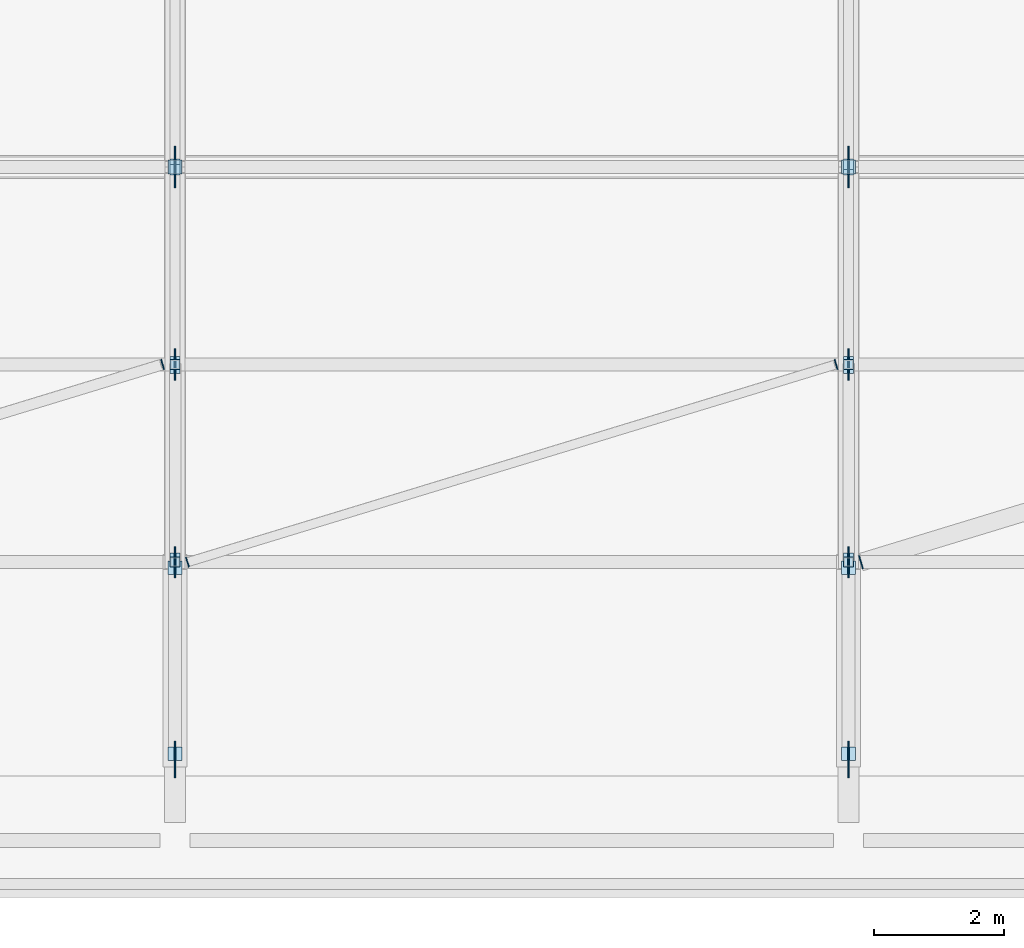
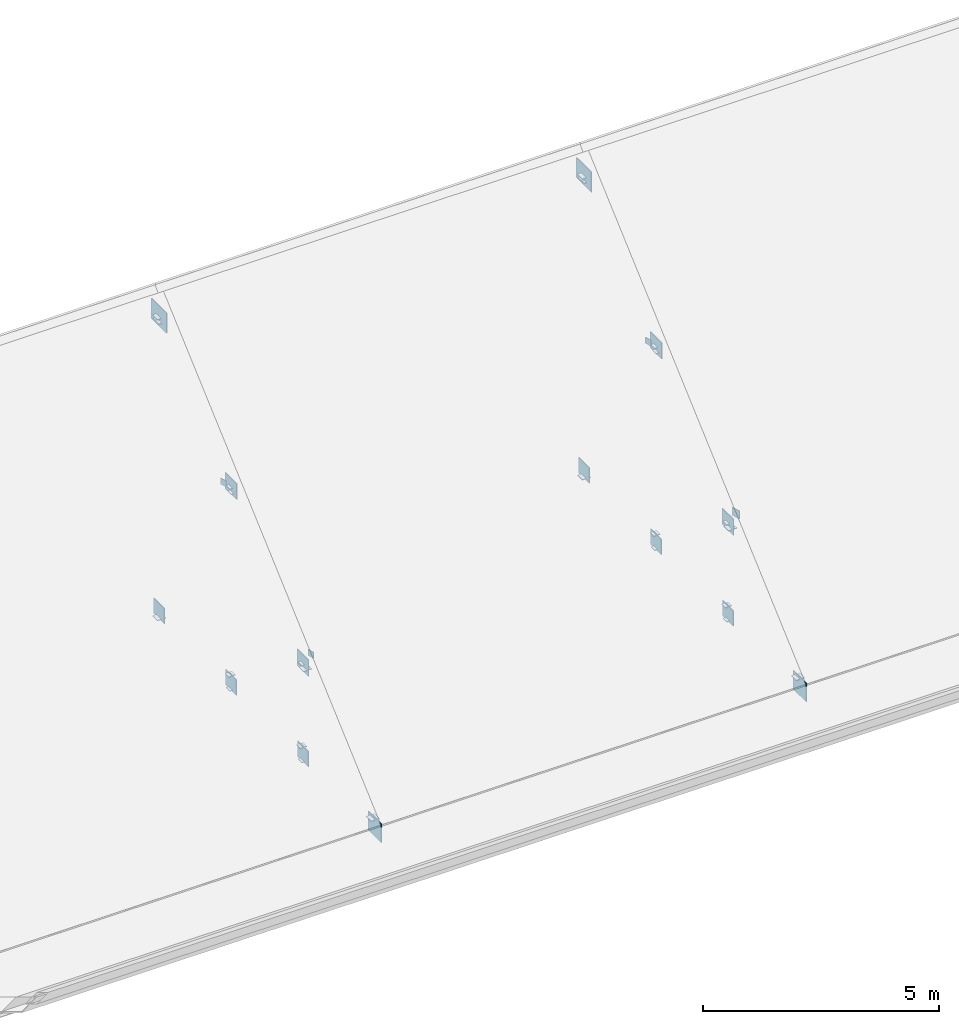
# One storey, part 48 of 86: 44 plates.
"""IFC4 building model written with IfcOpenShell, lengths in metres."""

from ifc_helpers import new_model, si_unit, derived_unit, direction, frame, origin, origin_2d, place, context, subcontext, project, spatial, rectangle, extrude, material, layer, layer_set, type_object, element, save


model = new_model("IFC4")

# Units and contexts
model_context = context("Model", 3, precision=1e-05, world=origin(), true_north=direction((0.0, 1.0)))
body_context = subcontext(model_context, "Body", "Model", "MODEL_VIEW")
ifc_project = project(units=[si_unit("LENGTHUNIT", "METRE"), si_unit("AREAUNIT", "SQUARE_METRE"), si_unit("VOLUMEUNIT", "CUBIC_METRE"), si_unit("PLANEANGLEUNIT", "RADIAN"), si_unit("MASSUNIT", "GRAM", prefix="KILO"), derived_unit("THERMALTRANSMITTANCEUNIT", [(si_unit("POWERUNIT", "WATT"), 1), (si_unit("LENGTHUNIT", "METRE"), -2), (si_unit("THERMODYNAMICTEMPERATUREUNIT", "KELVIN"), -1)])], contexts=[model_context])

# Site, building, storey
site_placement = place(None, origin())
site = spatial("IfcSite", under=ifc_project, at=site_placement, CompositionType="ELEMENT")
building_placement = place(site_placement, origin())
building = spatial("IfcBuilding", under=site, at=building_placement, Name="Braskholm Square Health Centre", CompositionType="ELEMENT")
storey_placement = place(building_placement, frame((0.0, 0.0, 13.5)))
storey = spatial("IfcBuildingStorey", under=building, at=storey_placement, Name="L04", CompositionType="ELEMENT", Elevation=13.5)

# Plates
ifc_material = material(Name="Steel ASTM A572 Grade 50", Category="steel")
ifc_layer_1 = layer(ifc_material, 0.01611328125)
ifc_layer_set_1 = layer_set([ifc_layer_1], Name="Steel ASTM A572 Grade 50")
plate_type_1 = type_object("IfcPlateType", Name="CapPlateHSS152TN8", PredefinedType="USERDEFINED", material=ifc_layer_set_1)
for number, where, z_axis, x_axis, name in (
    (1, (68.39990234375, 91.5, -0.2861328125), (0.0, 0.0, 1.0), (1.0, 0.0, 0.0), "Hollow section end cap plate 0069"),
    (2, (68.39990234375, 91.5, 2.221923828125), (0.0, 0.0, 1.0), (1.0, 0.0, 0.0), "Hollow section end cap plate 0070"),
    (3, (68.39990234375, 94.550048828125, -0.2861328125), (0.0, 0.0, 1.0), (1.0, 0.0, 0.0), "Hollow section end cap plate 0071"),
    (4, (68.39990234375, 94.550048828125, 4.941162109375), (0.0, 0.0, 1.0), (1.0, 0.0, 0.0), "Hollow section end cap plate 0072"),
    (5, (68.39990234375, 91.55908203125, 0.046875), (0.0, 0.0, 1.0), (1.0, 0.0, 0.0), "Hollow section end cap plate 0081"),
    (6, (68.39990234375, 94.490966796875, 4.837890625), (0.0, 0.0, 1.0), (1.0, 0.0, 0.0), "Hollow section end cap plate 0082"),
    (7, (68.39990234375, 94.592041015625, 0.055908203125), (0.0, 0.0, 1.0), (1.0, 0.0, 0.0), "Hollow section end cap plate 0083"),
    (8, (68.39990234375, 97.55810546875, 7.387939453125), (0.0, 0.0, 1.0), (1.0, 0.0, 0.0), "Hollow section end cap plate 0084"),
    (9, (68.39990234375, 97.64208984375, 7.387939453125), (0.0, 0.0, 1.0), (1.0, 0.0, 0.0), "Hollow section end cap plate 0086"),
    (10, (78.800048828125, 91.5, -0.2861328125), (0.0, 0.0, 1.0), (1.0, 0.0, 0.0), "Hollow section end cap plate 0103"),
    (11, (78.800048828125, 91.5, 2.221923828125), (0.0, 0.0, 1.0), (1.0, 0.0, 0.0), "Hollow section end cap plate 0104"),
    (12, (78.800048828125, 94.550048828125, -0.2861328125), (0.0, 0.0, 1.0), (1.0, 0.0, 0.0), "Hollow section end cap plate 0105"),
    (13, (78.800048828125, 94.550048828125, 4.941162109375), (0.0, 0.0, 1.0), (1.0, 0.0, 0.0), "Hollow section end cap plate 0106"),
    (14, (78.800048828125, 91.55908203125, 0.046875), (0.0, 0.0, 1.0), (1.0, 0.0, 0.0), "Hollow section end cap plate 0115"),
    (15, (78.800048828125, 94.490966796875, 4.837890625), (0.0, 0.0, 1.0), (1.0, 0.0, 0.0), "Hollow section end cap plate 0116"),
    (16, (78.800048828125, 94.592041015625, 0.055908203125), (0.0, 0.0, 1.0), (1.0, 0.0, 0.0), "Hollow section end cap plate 0117"),
    (17, (78.800048828125, 97.55810546875, 7.387939453125), (0.0, 0.0, 1.0), (1.0, 0.0, 0.0), "Hollow section end cap plate 0118"),
    (18, (78.800048828125, 97.64208984375, 7.387939453125), (0.0, 0.0, 1.0), (1.0, 0.0, 0.0), "Hollow section end cap plate 0120"),
):
    element("IfcPlate", number, at=place(storey_placement, frame(where, z_axis=z_axis, x_axis=x_axis)), inside=storey, type_object=plate_type_1, Name=name, ObjectType="CAP_PLATE", PredefinedType="USERDEFINED", context=body_context, shape_type="SweptSolid", body=[
        extrude(rectangle(XDim=0.159912109375, YDim=0.159912109375, at=origin_2d()), origin(), (0.0, 0.0, 1.0), 0.01611328125),
    ])
for number, where, z_axis, x_axis, name in (
    (19, (68.2080078125, 94.552001953125, 5.041015625), (0.0, 0.0, 1.0), (0.956498453883, 0.291737395134, 0.0), "Hollow section end cap plate 0282"),
    (20, (68.592041015625, 91.498046875, 2.322265625), (0.0, 0.0, 1.0), (0.956498453883, 0.291737395134, 0.0), "Hollow section end cap plate 0289"),
    (21, (78.60791015625, 94.552001953125, 5.041015625), (0.0, 0.0, 1.0), (0.956498453883, 0.291737395134, 0.0), "Hollow section end cap plate 0290"),
):
    element("IfcPlate", number, at=place(storey_placement, frame(where, z_axis=z_axis, x_axis=x_axis)), inside=storey, type_object=plate_type_1, Name=name, ObjectType="CAP_PLATE", PredefinedType="USERDEFINED", context=body_context, shape_type="SweptSolid", body=[
        extrude(rectangle(XDim=0.01611328125, YDim=0.159912109375, at=origin_2d()), origin(), (0.0, 0.0, 1.0), 0.159912109375),
    ])
ifc_layer_2 = layer(ifc_material, 0.01611328125)
ifc_layer_set_2 = layer_set([ifc_layer_2], Name="Steel ASTM A572 Grade 50")
plate_type_2 = type_object("IfcPlateType", Name="CapPlateHSS203TN6", PredefinedType="USERDEFINED", material=ifc_layer_set_2)
for number, where, z_axis, x_axis, name in (
    (22, (68.39990234375, 97.60009765625, -0.2861328125), (0.0, 0.0, 1.0), (1.0, 0.0, 0.0), "Hollow section end cap plate 0073"),
    (23, (68.39990234375, 97.60009765625, 7.5), (0.0, 0.0, 1.0), (1.0, 0.0, 0.0), "Hollow section end cap plate 0074"),
    (24, (68.39990234375, 88.5400390625, 0.017822265625), (0.0, 0.0, 1.0), (1.0, 0.0, 0.0), "Hollow section end cap plate 0079"),
    (25, (68.39990234375, 91.409912109375, 2.14794921875), (0.0, 0.0, 1.0), (1.0, 0.0, 0.0), "Hollow section end cap plate 0080"),
    (26, (78.800048828125, 97.60009765625, -0.2861328125), (0.0, 0.0, 1.0), (1.0, 0.0, 0.0), "Hollow section end cap plate 0107"),
    (27, (78.800048828125, 97.60009765625, 7.5), (0.0, 0.0, 1.0), (1.0, 0.0, 0.0), "Hollow section end cap plate 0108"),
    (28, (78.800048828125, 88.5400390625, 0.017822265625), (0.0, 0.0, 1.0), (1.0, 0.0, 0.0), "Hollow section end cap plate 0113"),
    (29, (78.800048828125, 91.409912109375, 2.14794921875), (0.0, 0.0, 1.0), (1.0, 0.0, 0.0), "Hollow section end cap plate 0114"),
):
    element("IfcPlate", number, at=place(storey_placement, frame(where, z_axis=z_axis, x_axis=x_axis)), inside=storey, type_object=plate_type_2, Name=name, ObjectType="CAP_PLATE", PredefinedType="USERDEFINED", context=body_context, shape_type="SweptSolid", body=[
        extrude(rectangle(XDim=0.2099609375, YDim=0.2099609375, at=origin_2d()), origin(), (0.0, 0.0, 1.0), 0.01611328125),
    ])
plate_placement = place(storey_placement, frame((78.991943359375, 91.498046875, 2.297119140625), z_axis=(0.0, 0.0, 1.0), x_axis=(0.956498453883, 0.291737395134, 0.0)))
element("IfcPlate", 30, at=plate_placement, inside=storey, type_object=plate_type_2, Name="Hollow section end cap plate 0297", ObjectType="CAP_PLATE", PredefinedType="USERDEFINED", context=body_context, shape_type="SweptSolid", body=[
    extrude(rectangle(XDim=0.01611328125, YDim=0.2099609375, at=origin_2d()), origin(), (0.0, 0.0, 1.0), 0.2099609375),
])
ifc_layer_3 = layer(ifc_material, 0.02001953125)
ifc_layer_set_3 = layer_set([ifc_layer_3], Name="Steel ASTM A572 Grade 50")
plate_type_3 = type_object("IfcPlateType", Name="NodeGussetBottomPanelTN3", PredefinedType="USERDEFINED", material=ifc_layer_set_3)
for number, where, z_axis, x_axis, name in (
    (31, (68.39990234375, 91.5, -0.320068359375), (0.0, 0.0, 1.0), (1.0, 0.0, 0.0), "Truss node gusset plate 0094"),
    (32, (68.39990234375, 94.550048828125, -0.320068359375), (0.0, 0.0, 1.0), (1.0, 0.0, 0.0), "Truss node gusset plate 0095"),
    (33, (68.39990234375, 97.60009765625, -0.320068359375), (0.0, 0.0, 1.0), (1.0, 0.0, 0.0), "Truss node gusset plate 0096"),
    (34, (78.800048828125, 91.5, -0.320068359375), (0.0, 0.0, 1.0), (1.0, 0.0, 0.0), "Truss node gusset plate 0128"),
    (35, (78.800048828125, 94.550048828125, -0.320068359375), (0.0, 0.0, 1.0), (1.0, 0.0, 0.0), "Truss node gusset plate 0129"),
    (36, (78.800048828125, 97.60009765625, -0.320068359375), (0.0, 0.0, 1.0), (1.0, 0.0, 0.0), "Truss node gusset plate 0130"),
):
    element("IfcPlate", number, at=place(storey_placement, frame(where, z_axis=z_axis, x_axis=x_axis)), inside=storey, type_object=plate_type_3, Name=name, ObjectType="GUSSET_PLATE", PredefinedType="USERDEFINED", context=body_context, shape_type="SweptSolid", body=[
        extrude(rectangle(XDim=0.02001953125, YDim=0.4599609375, at=origin_2d()), origin(), (0.0, 0.0, 1.0), 0.39990234375),
    ])
ifc_layer_4 = layer(ifc_material, 0.02392578125)
ifc_layer_set_4 = layer_set([ifc_layer_4], Name="Steel ASTM A572 Grade 50")
plate_type_4 = type_object("IfcPlateType", Name="NodeGussetHeelTN1", PredefinedType="USERDEFINED", material=ifc_layer_set_4)
for number, where, z_axis, x_axis, name in (
    (37, (68.39990234375, 88.449951171875, -0.39990234375), (0.0, 0.0, 1.0), (1.0, 0.0, 0.0), "Truss node gusset plate 0091"),
    (38, (78.800048828125, 88.449951171875, -0.39990234375), (0.0, 0.0, 1.0), (1.0, 0.0, 0.0), "Truss node gusset plate 0125"),
):
    element("IfcPlate", number, at=place(storey_placement, frame(where, z_axis=z_axis, x_axis=x_axis)), inside=storey, type_object=plate_type_4, Name=name, ObjectType="GUSSET_PLATE", PredefinedType="USERDEFINED", context=body_context, shape_type="SweptSolid", body=[
        extrude(rectangle(XDim=0.02392578125, YDim=0.56005859375, at=origin_2d()), origin(), (0.0, 0.0, 1.0), 0.47998046875),
    ])
ifc_layer_5 = layer(ifc_material, 0.02392578125)
ifc_layer_set_5 = layer_set([ifc_layer_5], Name="Steel ASTM A572 Grade 50")
plate_type_5 = type_object("IfcPlateType", Name="NodeGussetRidgeTN2", PredefinedType="USERDEFINED", material=ifc_layer_set_5)
for number, where, z_axis, x_axis, name in (
    (39, (68.39990234375, 97.60009765625, 7.260009765625), (0.0, 0.0, 1.0), (1.0, 0.0, 0.0), "Truss node gusset plate 0093"),
    (40, (78.800048828125, 97.60009765625, 7.260009765625), (0.0, 0.0, 1.0), (1.0, 0.0, 0.0), "Truss node gusset plate 0127"),
):
    element("IfcPlate", number, at=place(storey_placement, frame(where, z_axis=z_axis, x_axis=x_axis)), inside=storey, type_object=plate_type_5, Name=name, ObjectType="GUSSET_PLATE", PredefinedType="USERDEFINED", context=body_context, shape_type="SweptSolid", body=[
        extrude(rectangle(XDim=0.02392578125, YDim=0.639892578125, at=origin_2d()), origin(), (0.0, 0.0, 1.0), 0.52001953125),
    ])
ifc_layer_6 = layer(ifc_material, 0.02197265625)
ifc_layer_set_6 = layer_set([ifc_layer_6], Name="Steel ASTM A572 Grade 50")
plate_type_6 = type_object("IfcPlateType", Name="NodeGussetTopPanelTN4", PredefinedType="USERDEFINED", material=ifc_layer_set_6)
for number, where, z_axis, x_axis, name in (
    (41, (68.39990234375, 91.5, 2.031982421875), (0.0, 0.0, 1.0), (1.0, 0.0, 0.0), "Truss node gusset plate 0099"),
    (42, (68.39990234375, 94.550048828125, 4.7509765625), (0.0, 0.0, 1.0), (1.0, 0.0, 0.0), "Truss node gusset plate 0100"),
    (43, (78.800048828125, 91.5, 2.031982421875), (0.0, 0.0, 1.0), (1.0, 0.0, 0.0), "Truss node gusset plate 0133"),
    (44, (78.800048828125, 94.550048828125, 4.7509765625), (0.0, 0.0, 1.0), (1.0, 0.0, 0.0), "Truss node gusset plate 0134"),
):
    element("IfcPlate", number, at=place(storey_placement, frame(where, z_axis=z_axis, x_axis=x_axis)), inside=storey, type_object=plate_type_6, Name=name, ObjectType="GUSSET_PLATE", PredefinedType="USERDEFINED", context=body_context, shape_type="SweptSolid", body=[
        extrude(rectangle(XDim=0.02197265625, YDim=0.47998046875, at=origin_2d()), origin(), (0.0, 0.0, 1.0), 0.419921875),
    ])

save(model, "model.ifc")
